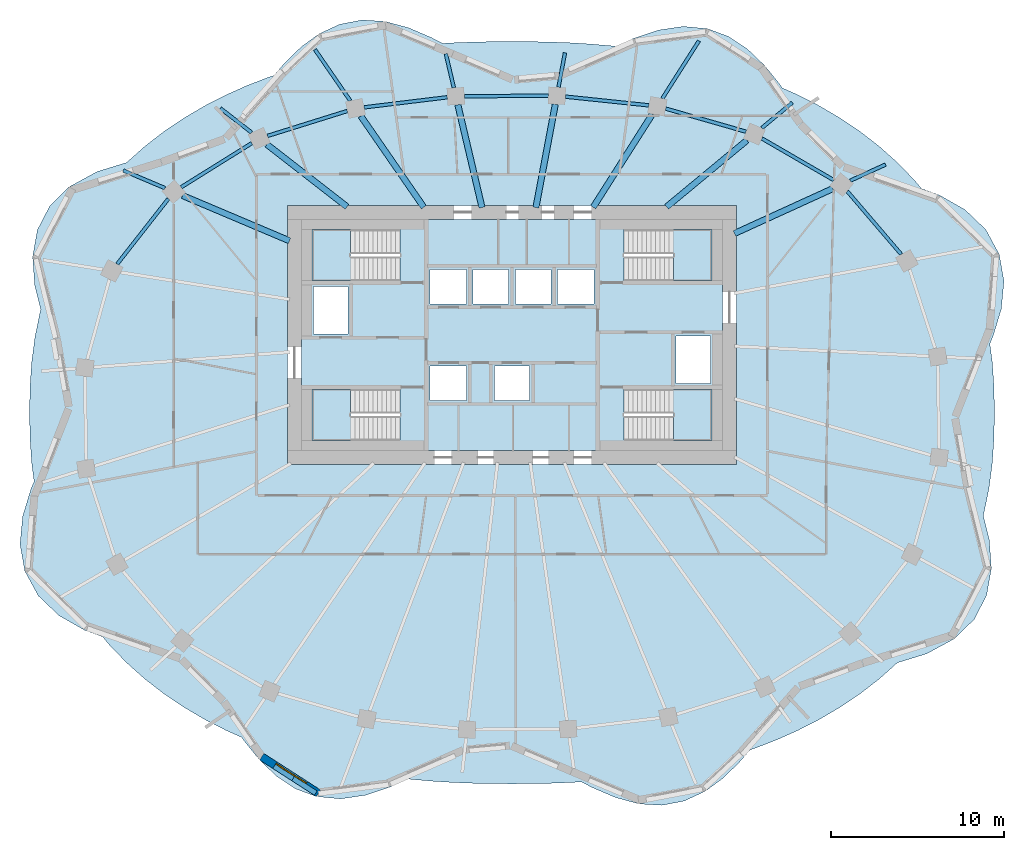
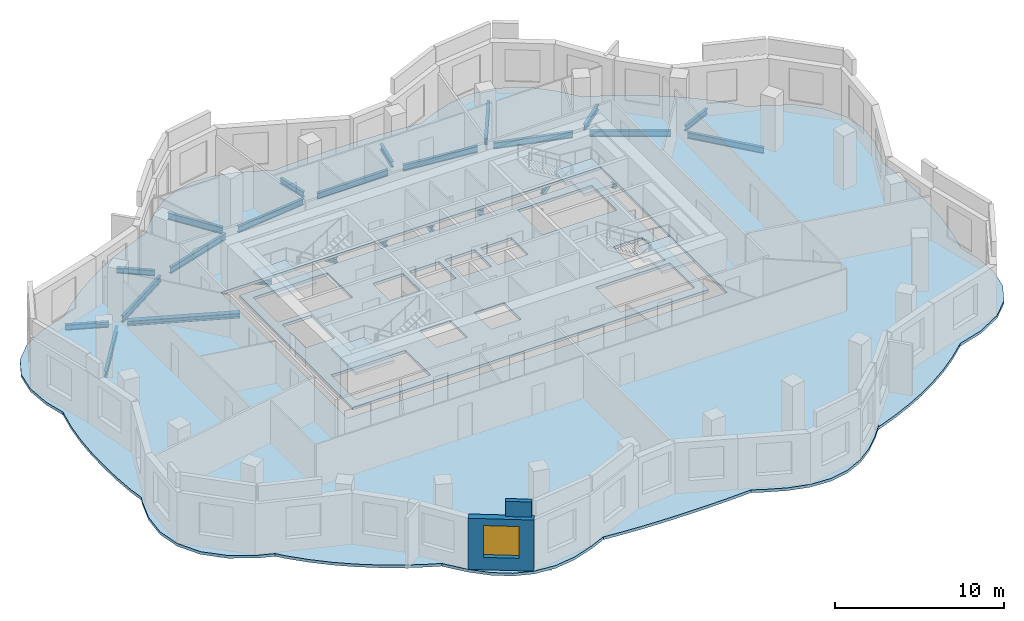
# One storey, part 2 of 9: 25 beams, 6 slabs, 2 walls, 1 window, 1 opening, 4 elements without a shape of their own.
"""IFC4 building model written with IfcOpenShell, lengths in metres."""

from ifc_helpers import new_model, si_unit, direction, frame, frame_2d, origin, origin_2d, place, context, subcontext, project, spatial, polyline, rectangle, i_section, outline, extrude, material, layer, layer_set, material_profile, profile_set, type_object, element, fill, aggregate, save


model = new_model("IFC4")

# Units and contexts
model_context = context("Model", 3, precision=1e-05, world=origin(), true_north=direction((0.0, 1.0)))
body_context = subcontext(model_context, "Body", "Model", "MODEL_VIEW")
ifc_project = project(units=[si_unit("LENGTHUNIT", "METRE"), si_unit("AREAUNIT", "SQUARE_METRE"), si_unit("VOLUMEUNIT", "CUBIC_METRE"), si_unit("PLANEANGLEUNIT", "RADIAN"), si_unit("MASSUNIT", "GRAM", prefix="KILO")], contexts=[model_context])

# Site, building, storey
site_placement = place(None, origin())
site = spatial("IfcSite", under=ifc_project, at=site_placement, CompositionType="ELEMENT")
building_placement = place(site_placement, origin())
building = spatial("IfcBuilding", under=site, at=building_placement, Name="Rubra Terraces Tower", CompositionType="ELEMENT")
storey_placement = place(building_placement, frame((0.0, 0.0, 221.39990234375)))
storey = spatial("IfcBuildingStorey", under=building, at=storey_placement, Name="L54", CompositionType="ELEMENT", Elevation=221.39990234375)

# Beams
ifc_material_1 = material(Name="Steel Q355B", Category="steel")
ifc_material_profile_1 = material_profile(ifc_material_1, i_section(OverallWidth=0.199951171875, OverallDepth=0.39990234375, WebThickness=0.008056640625, FlangeThickness=0.012939453125, at=origin_2d()), Name="HN 400x200x8x13")
ifc_profile_set_1 = profile_set([ifc_material_profile_1], Name="Steel Q355B")
beam_type_1 = type_object("IfcBeamType", Name="CANTILEVER BEAM HN 400x200x8x13", PredefinedType="BEAM", material=ifc_profile_set_1)
beam_1_placement = place(storey_placement, frame((19.596923828125, 13.43896484375, -0.39990234375), z_axis=(0.909716613574, 0.415229674985, 0.0), x_axis=(-0.415229674985, 0.909716613574, 0.0)))
element("IfcBeam", 1, at=beam_1_placement, inside=storey, type_object=beam_type_1, Name="beam-L54-cant-03", PredefinedType="BEAM", context=body_context, shape_type="SweptSolid", body=[
    extrude(i_section(OverallWidth=0.199951171875, OverallDepth=0.39990234375, WebThickness=0.008056640625, FlangeThickness=0.012939453125, at=origin_2d()), origin(), (0.0, 0.0, 1.0), 2.242431640625),
])
beam_2_placement = place(storey_placement, frame((14.47509765625, 16.4951171875, -0.39990234375), z_axis=(0.769939283083, 0.63811715254, 0.0), x_axis=(-0.63811715254, 0.769939283083, 0.0)))
element("IfcBeam", 2, at=beam_2_placement, inside=storey, type_object=beam_type_1, Name="beam-L54-cant-04", PredefinedType="BEAM", context=body_context, shape_type="SweptSolid", body=[
    extrude(i_section(OverallWidth=0.199951171875, OverallDepth=0.39990234375, WebThickness=0.008056640625, FlangeThickness=0.012939453125, at=origin_2d()), origin(), (0.0, 0.0, 1.0), 2.291015625),
])
beam_3_placement = place(storey_placement, frame((2.695068359375, 18.85400390625, -0.39990234375), z_axis=(0.184543083593, 0.98282442496, 0.0), x_axis=(-0.98282442496, 0.184543083593, 0.0)))
element("IfcBeam", 3, at=beam_3_placement, inside=storey, type_object=beam_type_1, Name="beam-L54-cant-06", PredefinedType="BEAM", context=body_context, shape_type="SweptSolid", body=[
    extrude(i_section(OverallWidth=0.199951171875, OverallDepth=0.39990234375, WebThickness=0.008056640625, FlangeThickness=0.012939453125, at=origin_2d()), origin(), (0.0, 0.0, 1.0), 2.02685546875),
])
beam_4_placement = place(storey_placement, frame((-3.3701171875, 18.823974609375, -0.39990234375), z_axis=(-0.229039333726, 0.973417168334, 0.0), x_axis=(-0.973417168334, -0.229039333726, 0.0)))
element("IfcBeam", 4, at=beam_4_placement, inside=storey, type_object=beam_type_1, Name="beam-L54-cant-07", PredefinedType="BEAM", context=body_context, shape_type="SweptSolid", body=[
    extrude(i_section(OverallWidth=0.199951171875, OverallDepth=0.39990234375, WebThickness=0.008056640625, FlangeThickness=0.012939453125, at=origin_2d()), origin(), (0.0, 0.0, 1.0), 2.016845703125),
])
beam_5_placement = place(storey_placement, frame((-15.087890625, 16.22705078125, -0.39990234375), z_axis=(-0.789765914968, 0.6134083465, 0.0), x_axis=(-0.6134083465, -0.789765914968, 0.0)))
element("IfcBeam", 5, at=beam_5_placement, inside=storey, type_object=beam_type_1, Name="beam-L54-cant-09", PredefinedType="BEAM", context=body_context, shape_type="SweptSolid", body=[
    extrude(i_section(OverallWidth=0.199951171875, OverallDepth=0.39990234375, WebThickness=0.008056640625, FlangeThickness=0.012939453125, at=origin_2d()), origin(), (0.0, 0.0, 1.0), 2.286865234375),
])
beam_6_placement = place(storey_placement, frame((-20.10205078125, 13.0048828125, -0.39990234375), z_axis=(-0.920825922179, 0.389973872257, 0.0), x_axis=(-0.389973872257, -0.920825922179, 0.0)))
element("IfcBeam", 6, at=beam_6_placement, inside=storey, type_object=beam_type_1, Name="beam-L54-cant-10", PredefinedType="BEAM", context=body_context, shape_type="SweptSolid", body=[
    extrude(i_section(OverallWidth=0.199951171875, OverallDepth=0.39990234375, WebThickness=0.008056640625, FlangeThickness=0.012939453125, at=origin_2d()), origin(), (0.0, 0.0, 1.0), 2.623779296875),
])
ifc_material_profile_2 = material_profile(ifc_material_1, i_section(OverallWidth=0.198974609375, OverallDepth=0.49609375, WebThickness=0.009033203125, FlangeThickness=0.013916015625, at=origin_2d()), Name="HN 496x199x9x14")
ifc_profile_set_2 = profile_set([ifc_material_profile_2], Name="Steel Q355B")
beam_type_2 = type_object("IfcBeamType", Name="CANTILEVER BEAM HN 496x199x9x14", PredefinedType="BEAM", material=ifc_profile_set_2)
beam_7_placement = place(storey_placement, frame((8.7099609375, 18.201904296875, -0.447998046875), z_axis=(0.536427545347, 0.843946377795, 0.0), x_axis=(-0.843946377795, 0.536427545347, 0.0)))
element("IfcBeam", 7, at=beam_7_placement, inside=storey, type_object=beam_type_2, Name="beam-L54-cant-05", PredefinedType="BEAM", context=body_context, shape_type="SweptSolid", body=[
    extrude(i_section(OverallWidth=0.198974609375, OverallDepth=0.49609375, WebThickness=0.009033203125, FlangeThickness=0.013916015625, at=origin_2d()), origin(), (0.0, 0.0, 1.0), 3.950439453125),
])
beam_8_placement = place(storey_placement, frame((-9.3701171875, 18.070068359375, -0.447998046875), z_axis=(-0.56822135663, 0.822875743882, 0.0), x_axis=(-0.822875743882, -0.56822135663, 0.0)))
element("IfcBeam", 8, at=beam_8_placement, inside=storey, type_object=beam_type_2, Name="beam-L54-cant-08", PredefinedType="BEAM", context=body_context, shape_type="SweptSolid", body=[
    extrude(i_section(OverallWidth=0.198974609375, OverallDepth=0.49609375, WebThickness=0.009033203125, FlangeThickness=0.013916015625, at=origin_2d()), origin(), (0.0, 0.0, 1.0), 3.59716796875),
])
ifc_material_profile_3 = material_profile(ifc_material_1, i_section(OverallWidth=0.35009765625, OverallDepth=0.35009765625, WebThickness=0.011962890625, FlangeThickness=0.01904296875, at=origin_2d()), Name="HW 350x350x12x19")
ifc_profile_set_3 = profile_set([ifc_material_profile_3], Name="Steel Q355B")
beam_type_3 = type_object("IfcBeamType", Name="FLOOR BEAM HW 350x350x12x19", PredefinedType="BEAM", material=ifc_profile_set_3)
beam_9_placement = place(storey_placement, frame((18.5869140625, 12.97900390625, -0.375), z_axis=(-0.909756526533, -0.415142219523, 0.0), x_axis=(0.415142219523, -0.909756526533, 0.0)))
element("IfcBeam", 9, at=beam_9_placement, inside=storey, type_object=beam_type_3, Name="beam-L54-floor-03", PredefinedType="BEAM", context=body_context, shape_type="SweptSolid", body=[
    extrude(i_section(OverallWidth=0.35009765625, OverallDepth=0.35009765625, WebThickness=0.011962890625, FlangeThickness=0.01904296875, at=origin_2d()), origin(), (0.0, 0.0, 1.0), 6.2607421875),
])
beam_10_placement = place(storey_placement, frame((13.60888671875, 15.777099609375, -0.375), z_axis=(-0.769987518392, -0.638058948312, 0.0), x_axis=(0.638058948312, -0.769987518392, 0.0)))
element("IfcBeam", 10, at=beam_10_placement, inside=storey, type_object=beam_type_3, Name="beam-L54-floor-04", PredefinedType="BEAM", context=body_context, shape_type="SweptSolid", body=[
    extrude(i_section(OverallWidth=0.35009765625, OverallDepth=0.35009765625, WebThickness=0.011962890625, FlangeThickness=0.01904296875, at=origin_2d()), origin(), (0.0, 0.0, 1.0), 6.040283203125),
])
beam_11_placement = place(storey_placement, frame((8.134033203125, 17.2958984375, -0.375), z_axis=(-0.536509861106, -0.843894050776, 0.0), x_axis=(0.843894050776, -0.536509861106, 0.0)))
element("IfcBeam", 11, at=beam_11_placement, inside=storey, type_object=beam_type_3, Name="beam-L54-floor-05", PredefinedType="BEAM", context=body_context, shape_type="SweptSolid", body=[
    extrude(i_section(OverallWidth=0.35009765625, OverallDepth=0.35009765625, WebThickness=0.011962890625, FlangeThickness=0.01904296875, at=origin_2d()), origin(), (0.0, 0.0, 1.0), 6.395263671875),
])
beam_12_placement = place(storey_placement, frame((2.509033203125, 17.862060546875, -0.375), z_axis=(-0.184574398021, -0.982818544593, 0.0), x_axis=(0.982818544593, -0.184574398021, 0.0)))
element("IfcBeam", 12, at=beam_12_placement, inside=storey, type_object=beam_type_3, Name="beam-L54-floor-06", PredefinedType="BEAM", context=body_context, shape_type="SweptSolid", body=[
    extrude(i_section(OverallWidth=0.35009765625, OverallDepth=0.35009765625, WebThickness=0.011962890625, FlangeThickness=0.01904296875, at=origin_2d()), origin(), (0.0, 0.0, 1.0), 6.08447265625),
])
beam_13_placement = place(storey_placement, frame((-3.137939453125, 17.8359375, -0.375), z_axis=(0.229070485592, -0.973409837957, 0.0), x_axis=(0.973409837957, 0.229070485592, 0.0)))
element("IfcBeam", 13, at=beam_13_placement, inside=storey, type_object=beam_type_3, Name="beam-L54-floor-07", PredefinedType="BEAM", context=body_context, shape_type="SweptSolid", body=[
    extrude(i_section(OverallWidth=0.35009765625, OverallDepth=0.35009765625, WebThickness=0.011962890625, FlangeThickness=0.01904296875, at=origin_2d()), origin(), (0.0, 0.0, 1.0), 6.115478515625),
])
beam_14_placement = place(storey_placement, frame((-8.756103515625, 17.179931640625, -0.375), z_axis=(0.568186422001, -0.822899866238, 0.0), x_axis=(0.822899866238, 0.568186422001, 0.0)))
element("IfcBeam", 14, at=beam_14_placement, inside=storey, type_object=beam_type_3, Name="beam-L54-floor-08", PredefinedType="BEAM", context=body_context, shape_type="SweptSolid", body=[
    extrude(i_section(OverallWidth=0.35009765625, OverallDepth=0.35009765625, WebThickness=0.011962890625, FlangeThickness=0.01904296875, at=origin_2d()), origin(), (0.0, 0.0, 1.0), 6.415283203125),
])
beam_15_placement = place(storey_placement, frame((-14.197998046875, 15.534912109375, -0.375), z_axis=(0.789548898228, -0.613687654517, 0.0), x_axis=(0.613687654517, 0.789548898228, 0.0)))
element("IfcBeam", 15, at=beam_15_placement, inside=storey, type_object=beam_type_3, Name="beam-L54-floor-09", PredefinedType="BEAM", context=body_context, shape_type="SweptSolid", body=[
    extrude(i_section(OverallWidth=0.35009765625, OverallDepth=0.35009765625, WebThickness=0.011962890625, FlangeThickness=0.01904296875, at=origin_2d()), origin(), (0.0, 0.0, 1.0), 5.880615234375),
])
beam_16_placement = place(storey_placement, frame((-19.083984375, 12.574951171875, -0.375), z_axis=(0.92097476483, -0.38962223056, 0.0), x_axis=(0.38962223056, 0.92097476483, 0.0)))
element("IfcBeam", 16, at=beam_16_placement, inside=storey, type_object=beam_type_3, Name="beam-L54-floor-10", PredefinedType="BEAM", context=body_context, shape_type="SweptSolid", body=[
    extrude(i_section(OverallWidth=0.35009765625, OverallDepth=0.35009765625, WebThickness=0.011962890625, FlangeThickness=0.01904296875, at=origin_2d()), origin(), (0.0, 0.0, 1.0), 6.7265625),
])
ifc_material_profile_4 = material_profile(ifc_material_1, i_section(OverallWidth=0.198974609375, OverallDepth=0.446044921875, WebThickness=0.008056640625, FlangeThickness=0.011962890625, at=origin_2d()), Name="HN 446x199x8x12")
ifc_profile_set_4 = profile_set([ifc_material_profile_4], Name="Steel Q355B")
beam_type_4 = type_object("IfcBeamType", Name="SPANDREL BEAM HN 446x199x8x12", PredefinedType="SPANDREL", material=ifc_profile_set_4)
beam_17_placement = place(storey_placement, frame((22.547119140625, 9.174072265625, -0.4228515625), z_axis=(-0.650372836218, 0.759615148552, 0.0), x_axis=(-0.759615148552, -0.650372836218, 0.0)))
element("IfcBeam", 17, at=beam_17_placement, inside=storey, type_object=beam_type_4, Name="beam-L54-spandrel-02", PredefinedType="SPANDREL", context=body_context, shape_type="SweptSolid", body=[
    extrude(i_section(OverallWidth=0.198974609375, OverallDepth=0.446044921875, WebThickness=0.008056640625, FlangeThickness=0.011962890625, at=origin_2d()), origin(), (0.0, 0.0, 1.0), 4.804931640625),
])
beam_18_placement = place(storey_placement, frame((18.653076171875, 13.462890625, -0.4228515625), z_axis=(-0.865153680787, 0.501506838059, 0.0), x_axis=(-0.501506838059, -0.865153680787, 0.0)))
element("IfcBeam", 18, at=beam_18_placement, inside=storey, type_object=beam_type_4, Name="beam-L54-spandrel-03", PredefinedType="SPANDREL", context=body_context, shape_type="SweptSolid", body=[
    extrude(i_section(OverallWidth=0.198974609375, OverallDepth=0.446044921875, WebThickness=0.008056640625, FlangeThickness=0.011962890625, at=origin_2d()), origin(), (0.0, 0.0, 1.0), 4.82568359375),
])
beam_19_placement = place(storey_placement, frame((13.55810546875, 16.27490234375, -0.4228515625), z_axis=(-0.961171164323, 0.275952881621, 0.0), x_axis=(-0.275952881621, -0.961171164323, 0.0)))
element("IfcBeam", 19, at=beam_19_placement, inside=storey, type_object=beam_type_4, Name="beam-L54-spandrel-04", PredefinedType="SPANDREL", context=body_context, shape_type="SweptSolid", body=[
    extrude(i_section(OverallWidth=0.198974609375, OverallDepth=0.446044921875, WebThickness=0.008056640625, FlangeThickness=0.011962890625, at=origin_2d()), origin(), (0.0, 0.0, 1.0), 4.842041015625),
])
beam_20_placement = place(storey_placement, frame((7.923095703125, 17.801025390625, -0.4228515625), z_axis=(-0.994565426955, 0.104113454971, 0.0), x_axis=(-0.104113454971, -0.994565426955, 0.0)))
element("IfcBeam", 20, at=beam_20_placement, inside=storey, type_object=beam_type_4, Name="beam-L54-spandrel-05", PredefinedType="SPANDREL", context=body_context, shape_type="SweptSolid", body=[
    extrude(i_section(OverallWidth=0.198974609375, OverallDepth=0.446044921875, WebThickness=0.008056640625, FlangeThickness=0.011962890625, at=origin_2d()), origin(), (0.0, 0.0, 1.0), 4.849365234375),
])
beam_21_placement = place(storey_placement, frame((2.10107421875, 18.35595703125, -0.4228515625), z_axis=(-0.999987852299, -0.004929021704, 0.0), x_axis=(0.004929021704, -0.999987852299, 0.0)))
element("IfcBeam", 21, at=beam_21_placement, inside=storey, type_object=beam_type_4, Name="beam-L54-spandrel-06", PredefinedType="SPANDREL", context=body_context, shape_type="SweptSolid", body=[
    extrude(i_section(OverallWidth=0.198974609375, OverallDepth=0.446044921875, WebThickness=0.008056640625, FlangeThickness=0.011962890625, at=origin_2d()), origin(), (0.0, 0.0, 1.0), 4.85400390625),
])
beam_22_placement = place(storey_placement, frame((-3.7509765625, 18.27001953125, -0.4228515625), z_axis=(-0.992698018573, -0.120626049929, 0.0), x_axis=(0.120626049929, -0.992698018573, 0.0)))
element("IfcBeam", 22, at=beam_22_placement, inside=storey, type_object=beam_type_4, Name="beam-L54-spandrel-07", PredefinedType="SPANDREL", context=body_context, shape_type="SweptSolid", body=[
    extrude(i_section(OverallWidth=0.198974609375, OverallDepth=0.446044921875, WebThickness=0.008056640625, FlangeThickness=0.011962890625, at=origin_2d()), origin(), (0.0, 0.0, 1.0), 4.849365234375),
])
beam_23_placement = place(storey_placement, frame((-9.5419921875, 17.47509765625, -0.4228515625), z_axis=(-0.954462027342, -0.298332429282, 0.0), x_axis=(0.298332429282, -0.954462027342, 0.0)))
element("IfcBeam", 23, at=beam_23_placement, inside=storey, type_object=beam_type_4, Name="beam-L54-spandrel-08", PredefinedType="SPANDREL", context=body_context, shape_type="SweptSolid", body=[
    extrude(i_section(OverallWidth=0.198974609375, OverallDepth=0.446044921875, WebThickness=0.008056640625, FlangeThickness=0.011962890625, at=origin_2d()), origin(), (0.0, 0.0, 1.0), 4.840576171875),
])
beam_24_placement = place(storey_placement, frame((-15.071044921875, 15.614013671875, -0.4228515625), z_axis=(-0.848183088492, -0.529703170083, 0.0), x_axis=(0.529703170083, -0.848183088492, 0.0)))
element("IfcBeam", 24, at=beam_24_placement, inside=storey, type_object=beam_type_4, Name="beam-L54-spandrel-09", PredefinedType="SPANDREL", context=body_context, shape_type="SweptSolid", body=[
    extrude(i_section(OverallWidth=0.198974609375, OverallDepth=0.446044921875, WebThickness=0.008056640625, FlangeThickness=0.011962890625, at=origin_2d()), origin(), (0.0, 0.0, 1.0), 4.8232421875),
])
beam_25_placement = place(storey_placement, frame((-19.906005859375, 12.39111328125, -0.4228515625), z_axis=(-0.617060338015, -0.786915840004, 0.0), x_axis=(0.786915840004, -0.617060338015, 0.0)))
element("IfcBeam", 25, at=beam_25_placement, inside=storey, type_object=beam_type_4, Name="beam-L54-spandrel-10", PredefinedType="SPANDREL", context=body_context, shape_type="SweptSolid", body=[
    extrude(i_section(OverallWidth=0.198974609375, OverallDepth=0.446044921875, WebThickness=0.008056640625, FlangeThickness=0.011962890625, at=origin_2d()), origin(), (0.0, 0.0, 1.0), 4.8037109375),
])

# Slab
ifc_material_2 = material(Name="Concrete C40", Category="concrete")
ifc_layer_1 = layer(ifc_material_2, 0.199951171875)
ifc_layer_set_1 = layer_set([ifc_layer_1], Name="Concrete C40")
slab_type_1 = type_object("IfcSlabType", Name="Core floor slab 200 concrete", PredefinedType="FLOOR", material=ifc_layer_set_1)
slab_1_placement = place(storey_placement, frame((0.0, 0.0, -0.199951171875)))
element("IfcSlab", 26, at=slab_1_placement, inside=storey, type_object=slab_type_1, Name="CORE FLOOR SLAB L54", PredefinedType="FLOOR", context=body_context, shape_type="SweptSolid", body=[
    extrude(outline(polyline([(-12.199951171875, -2.199951171875), (-12.199951171875, 11.199951171875), (12.199951171875, 11.199951171875), (12.199951171875, -2.199951171875), (-12.199951171875, -2.199951171875)]), holes=[polyline([(11.597900390625, 1.347900390625), (6.501953125, 1.347900390625), (6.501953125, -1.597900390625), (11.597900390625, -1.597900390625), (11.597900390625, 1.347900390625)]), polyline([(11.597900390625, 7.652099609375), (11.597900390625, 10.597900390625), (6.501953125, 10.597900390625), (6.501953125, 7.652099609375), (11.597900390625, 7.652099609375)]), polyline([(9.5, 1.699951171875), (11.5, 1.699951171875), (11.5, 4.449951171875), (9.5, 4.449951171875), (9.5, 1.699951171875)]), polyline([(4.75, 6.300048828125), (4.75, 8.300048828125), (2.64990234375, 8.300048828125), (2.64990234375, 6.300048828125), (4.75, 6.300048828125)]), polyline([(2.25, 8.300048828125), (0.199951171875, 8.300048828125), (0.199951171875, 6.300048828125), (2.25, 6.300048828125), (2.25, 8.300048828125)]), polyline([(1.02490234375, 0.699951171875), (1.02490234375, 2.699951171875), (-1.02490234375, 2.699951171875), (-1.02490234375, 0.699951171875), (1.02490234375, 0.699951171875)]), polyline([(-0.199951171875, 6.300048828125), (-0.199951171875, 8.300048828125), (-2.25, 8.300048828125), (-2.25, 6.300048828125), (-0.199951171875, 6.300048828125)]), polyline([(-4.75, 8.300048828125), (-4.75, 6.300048828125), (-2.64990234375, 6.300048828125), (-2.64990234375, 8.300048828125), (-4.75, 8.300048828125)]), polyline([(-2.64990234375, 0.699951171875), (-2.64990234375, 2.699951171875), (-4.75, 2.699951171875), (-4.75, 0.699951171875), (-2.64990234375, 0.699951171875)]), polyline([(-11.597900390625, -1.597900390625), (-6.501953125, -1.597900390625), (-6.501953125, 1.347900390625), (-11.597900390625, 1.347900390625), (-11.597900390625, -1.597900390625)]), polyline([(-11.597900390625, 10.597900390625), (-11.597900390625, 7.652099609375), (-6.501953125, 7.652099609375), (-6.501953125, 10.597900390625), (-11.597900390625, 10.597900390625)]), polyline([(-9.5, 4.550048828125), (-9.5, 7.300048828125), (-11.5, 7.300048828125), (-11.5, 4.550048828125), (-9.5, 4.550048828125)])]), origin(), (0.0, 0.0, 1.0), 0.199951171875),
])

# Stair, slab
stair_type = type_object("IfcStairType", Name="Core stair 1400", PredefinedType="HALF_TURN_STAIR", material=ifc_material_2)
stair_1_placement = place(storey_placement, origin())
stair_1 = element("IfcStair", 27, at=stair_1_placement, inside=storey, type_object=stair_type, Name="L54 Exit stair S1", PredefinedType="HALF_TURN_STAIR")
ifc_layer_2 = layer(ifc_material_2, 0.199951171875)
ifc_layer_set_2 = layer_set([ifc_layer_2], Name="Concrete C40")
slab_type_2 = type_object("IfcSlabType", Name="Core stair landing 200", PredefinedType="LANDING", material=ifc_layer_set_2)
slab_2_placement = place(storey_placement, frame((0.0, 0.0, 1.75)))
slab_2 = element("IfcSlab", 28, at=slab_2_placement, type_object=slab_type_2, Name="S1 landing 1", PredefinedType="LANDING", context=body_context, shape_type="SweptSolid", body=[
    extrude(outline(polyline([(-8.97998046875, -0.199951171875), (-8.97998046875, -1.60009765625), (-9.360107421875, -1.60009765625), (-9.3798828125, -1.60009765625), (-11.60009765625, -1.60009765625), (-11.60009765625, 1.35009765625), (-9.3798828125, 1.35009765625), (-9.35791015625, 1.35009765625), (-9.35791015625, -0.050048828125), (-9.360107421875, -0.050048828125), (-9.360107421875, -0.199951171875), (-8.97998046875, -0.199951171875)])), origin(), (0.0, 0.0, 1.0), 0.2001953125),
])
aggregate(stair_1, [slab_2])

stair_2_placement = place(storey_placement, origin())
stair_2 = element("IfcStair", 29, at=stair_2_placement, inside=storey, type_object=stair_type, Name="L54 Exit stair S2", PredefinedType="HALF_TURN_STAIR")
slab_3_placement = place(storey_placement, frame((0.0, 0.0, 1.75)))
slab_3 = element("IfcSlab", 30, at=slab_3_placement, type_object=slab_type_2, Name="S2 landing 1", PredefinedType="LANDING", context=body_context, shape_type="SweptSolid", body=[
    extrude(outline(polyline([(-8.97998046875, 9.050048828125), (-8.97998046875, 7.64990234375), (-9.3798828125, 7.64990234375), (-11.60009765625, 7.64990234375), (-11.60009765625, 10.60009765625), (-9.3798828125, 10.60009765625), (-9.360107421875, 10.60009765625), (-9.35791015625, 10.60009765625), (-9.35791015625, 9.199951171875), (-9.360107421875, 9.199951171875), (-9.360107421875, 9.050048828125), (-8.97998046875, 9.050048828125)])), origin(), (0.0, 0.0, 1.0), 0.2001953125),
])
aggregate(stair_2, [slab_3])

stair_3_placement = place(storey_placement, origin())
stair_3 = element("IfcStair", 31, at=stair_3_placement, inside=storey, type_object=stair_type, Name="L54 Exit stair S3", PredefinedType="HALF_TURN_STAIR")
slab_4_placement = place(storey_placement, frame((0.0, 0.0, 1.75)))
slab_4 = element("IfcSlab", 32, at=slab_4_placement, type_object=slab_type_2, Name="S3 landing 1", PredefinedType="LANDING", context=body_context, shape_type="SweptSolid", body=[
    extrude(outline(polyline([(9.360107421875, 9.050048828125), (9.360107421875, 9.199951171875), (8.97998046875, 9.199951171875), (8.97998046875, 10.60009765625), (9.360107421875, 10.60009765625), (9.3798828125, 10.60009765625), (11.60009765625, 10.60009765625), (11.60009765625, 7.64990234375), (9.3798828125, 7.64990234375), (9.35791015625, 7.64990234375), (9.35791015625, 9.050048828125), (9.360107421875, 9.050048828125)])), origin(), (0.0, 0.0, 1.0), 0.2001953125),
])
aggregate(stair_3, [slab_4])

stair_4_placement = place(storey_placement, origin())
stair_4 = element("IfcStair", 33, at=stair_4_placement, inside=storey, type_object=stair_type, Name="L54 Exit stair S4", PredefinedType="HALF_TURN_STAIR")
slab_5_placement = place(storey_placement, frame((0.0, 0.0, 1.75)))
slab_5 = element("IfcSlab", 34, at=slab_5_placement, type_object=slab_type_2, Name="S4 landing 1", PredefinedType="LANDING", context=body_context, shape_type="SweptSolid", body=[
    extrude(outline(polyline([(9.360107421875, -0.199951171875), (9.360107421875, -0.050048828125), (8.97998046875, -0.050048828125), (8.97998046875, 1.35009765625), (9.360107421875, 1.35009765625), (9.3798828125, 1.35009765625), (11.60009765625, 1.35009765625), (11.60009765625, -1.60009765625), (9.3798828125, -1.60009765625), (9.360107421875, -1.60009765625), (9.35791015625, -1.60009765625), (9.35791015625, -0.199951171875), (9.360107421875, -0.199951171875)])), origin(), (0.0, 0.0, 1.0), 0.2001953125),
])
aggregate(stair_4, [slab_5])

# Slab
ifc_layer_3 = layer(ifc_material_2, 0.199951171875)
ifc_layer_set_3 = layer_set([ifc_layer_3], Name="Concrete C40")
slab_type_3 = type_object("IfcSlabType", Name="FLOOR SLAB 200 COMPOSITE", PredefinedType="FLOOR", material=ifc_layer_set_3)
slab_6_placement = place(storey_placement, frame((0.0, 0.0, -0.199951171875)))
element("IfcSlab", 35, at=slab_6_placement, inside=storey, type_object=slab_type_3, Name="FLOOR SLAB L54", PredefinedType="FLOOR", context=body_context, shape_type="SweptSolid", body=[
    extrude(outline(polyline([(27.825927734375, 2.925048828125), (27.68505859375, 3.992919921875), (27.864990234375, 4.4130859375), (28.345947265625, 6.0), (28.501953125, 7.617919921875), (28.22607421875, 9.1708984375), (27.449951171875, 10.60400390625), (26.242919921875, 11.759033203125), (24.7470703125, 12.60888671875), (23.712890625, 12.987060546875), (23.324951171875, 13.45703125), (22.327880859375, 14.489013671875), (21.256103515625, 15.444091796875), (20.15087890625, 16.298095703125), (18.990966796875, 17.077880859375), (17.784912109375, 17.784912109375), (16.591064453125, 18.39599609375), (15.660888671875, 18.81201171875), (15.468017578125, 19.083984375), (14.62109375, 20.1240234375), (13.6298828125, 21.072998046875), (12.529052734375, 21.798095703125), (11.3330078125, 22.240966796875), (9.931884765625, 22.3759765625), (8.489013671875, 22.1650390625), (7.0458984375, 21.68603515625), (5.998046875, 21.222900390625), (5.7099609375, 21.256103515625), (4.552978515625, 21.35498046875), (3.39404296875, 21.427001953125), (2.262939453125, 21.470947265625), (1.132080078125, 21.493896484375), (0.0, 21.5), (-1.132080078125, 21.493896484375), (-2.262939453125, 21.470947265625), (-3.39404296875, 21.427001953125), (-4.0048828125, 21.388916015625), (-3.3330078125, 21.044921875), (-4.64990234375, 21.718994140625), (-5.9990234375, 22.298095703125), (-7.364990234375, 22.66796875), (-8.68798828125, 22.74609375), (-9.969970703125, 22.5029296875), (-11.180908203125, 21.943115234375), (-12.205078125, 21.195068359375), (-13.14599609375, 20.282958984375), (-14.010986328125, 19.284912109375), (-13.7919921875, 19.5380859375), (-14.115966796875, 19.428955078125), (-15.365966796875, 18.944091796875), (-16.591064453125, 18.39599609375), (-17.784912109375, 17.784912109375), (-18.990966796875, 17.077880859375), (-20.15087890625, 16.298095703125), (-21.256103515625, 15.444091796875), (-22.327880859375, 14.489013671875), (-24.031982421875, 13.967041015625), (-25.6650390625, 13.076904296875), (-26.780029296875, 11.968994140625), (-27.4951171875, 10.587890625), (-27.77197265625, 9.02392578125), (-27.65087890625, 7.37109375), (-27.299072265625, 5.9609375), (-27.342041015625, 5.81005859375), (-27.635009765625, 4.376953125), (-27.825927734375, 2.925048828125), (-27.925048828125, 1.464111328125), (-27.949951171875, 0.0), (-27.925048828125, -1.464111328125), (-27.825927734375, -2.925048828125), (-27.68505859375, -3.992919921875), (-27.864990234375, -4.4130859375), (-28.345947265625, -6.0), (-28.501953125, -7.617919921875), (-28.22607421875, -9.1708984375), (-27.449951171875, -10.60400390625), (-26.242919921875, -11.759033203125), (-24.7470703125, -12.60888671875), (-23.712890625, -12.987060546875), (-23.324951171875, -13.45703125), (-22.327880859375, -14.489013671875), (-21.256103515625, -15.444091796875), (-20.15087890625, -16.298095703125), (-18.990966796875, -17.077880859375), (-17.784912109375, -17.784912109375), (-16.591064453125, -18.39599609375), (-15.660888671875, -18.81201171875), (-15.468017578125, -19.083984375), (-14.62109375, -20.1240234375), (-13.6298828125, -21.072998046875), (-12.529052734375, -21.798095703125), (-11.3330078125, -22.240966796875), (-9.931884765625, -22.3759765625), (-8.489013671875, -22.1650390625), (-7.0458984375, -21.68603515625), (-5.998046875, -21.222900390625), (-5.7099609375, -21.256103515625), (-4.552978515625, -21.35498046875), (-3.39404296875, -21.427001953125), (-2.262939453125, -21.470947265625), (-1.132080078125, -21.493896484375), (0.0, -21.5), (1.132080078125, -21.493896484375), (2.262939453125, -21.470947265625), (3.39404296875, -21.427001953125), (4.0048828125, -21.388916015625), (3.3330078125, -21.044921875), (4.64990234375, -21.718994140625), (5.9990234375, -22.298095703125), (7.364990234375, -22.66796875), (8.68798828125, -22.74609375), (9.969970703125, -22.5029296875), (11.180908203125, -21.943115234375), (12.205078125, -21.195068359375), (13.14599609375, -20.282958984375), (14.010986328125, -19.284912109375), (13.7919921875, -19.5380859375), (14.115966796875, -19.428955078125), (15.365966796875, -18.944091796875), (16.591064453125, -18.39599609375), (17.784912109375, -17.784912109375), (18.990966796875, -17.077880859375), (20.15087890625, -16.298095703125), (21.256103515625, -15.444091796875), (22.327880859375, -14.489013671875), (24.031982421875, -13.967041015625), (25.6650390625, -13.076904296875), (26.780029296875, -11.968994140625), (27.4951171875, -10.587890625), (27.77197265625, -9.02392578125), (27.65087890625, -7.37109375), (27.299072265625, -5.9609375), (27.342041015625, -5.81005859375), (27.635009765625, -4.376953125), (27.825927734375, -2.925048828125), (27.925048828125, -1.464111328125), (27.949951171875, 0.0), (27.925048828125, 1.464111328125), (27.825927734375, 2.925048828125)]), holes=[polyline([(13.0, 12.0), (13.0, -3.0), (-13.0, -3.0), (-13.0, 12.0), (13.0, 12.0)])]), origin(), (0.0, 0.0, 1.0), 0.199951171875),
])

# Wall, opening, window
ifc_material_3 = material(Name="Brick masonry red-brown", Category="masonry")
ifc_layer_4 = layer(ifc_material_3, 0.449951171875)
ifc_layer_set_4 = layer_set([ifc_layer_4], Name="Brick masonry red-brown")
wall_type_1 = type_object("IfcWallType", Name="Brick facade wall 450", PredefinedType="SOLIDWALL", material=ifc_layer_set_4)
wall_1_placement = place(storey_placement, frame((-14.499267578125, -19.934814453125, 0.0), z_axis=(0.0, 0.0, 1.0), x_axis=(0.84080910763, -0.541331732422, 0.0)))
wall_1 = element("IfcWall", 36, at=wall_1_placement, inside=storey, type_object=wall_type_1, Name="Facade wall L54 bay 27", PredefinedType="SOLIDWALL", context=body_context, shape_type="SweptSolid", body=[
    extrude(rectangle(XDim=3.91064453125, YDim=0.449951171875, at=frame_2d((1.955322265625, 0.0))), origin(), (0.0, 0.0, 1.0), 3.7001953125),
])
opening_placement = place(wall_1_placement, frame((0.9052734375, 0.0, 0.89990234375)))
opening = element("IfcOpeningElement", 37, at=opening_placement, cuts=wall_1, Name="Opening W1B", PredefinedType="OPENING", context=body_context, shape_type="SweptSolid", body=[
    extrude(rectangle(XDim=2.10009765625, YDim=2.300048828125, at=frame_2d((1.050048828125, 1.14990234375))), frame((0.0, 0.23486328125, 0.0), z_axis=(0.0, -1.0, 0.0), x_axis=(1.0, 0.0, 0.0)), (0.0, 0.0, 1.0), 0.469970703125),
])
ifc_material_4 = material(Name="Clear glass in aluminium frame", Category="aluminium")
window_type = type_object("IfcWindowType", Name="Fixed deep-set window tall storey 2100 x 2300", PartitioningType="SINGLE_PANEL", PredefinedType="WINDOW", material=ifc_material_4)
window_placement = place(opening_placement, origin())
window = element("IfcWindow", 38, at=window_placement, inside=storey, type_object=window_type, Name="Window L54 bay 27", OverallHeight=2.300048828125, OverallWidth=2.10009765625, PartitioningType="SINGLE_PANEL", PredefinedType="WINDOW", context=body_context, shape_type="SweptSolid", body=[
    extrude(rectangle(XDim=2.10009765625, YDim=2.300048828125, at=frame_2d((1.050048828125, 1.14990234375))), frame((0.0, 0.135009765625, 0.0), z_axis=(0.0, -1.0, 0.0), x_axis=(1.0, 0.0, 0.0)), (0.0, 0.0, 1.0), 0.06005859375),
])
fill(opening, window)

# Wall
ifc_layer_5 = layer(ifc_material_3, 0.300048828125)
ifc_layer_set_5 = layer_set([ifc_layer_5], Name="Brick masonry red-brown")
wall_type_2 = type_object("IfcWallType", Name="Brick parapet 300", PredefinedType="PARAPET", material=ifc_layer_set_5)
wall_2_placement = place(storey_placement, frame((-12.680419921875, -21.195068359375, 3.900146484375), z_axis=(0.0, 0.0, 1.0), x_axis=(0.840806975541, -0.541335044018, 0.0)))
element("IfcWall", 39, at=wall_2_placement, inside=storey, type_object=wall_type_2, Name="Parapet L54 bay 27", PredefinedType="PARAPET", context=body_context, shape_type="SweptSolid", body=[
    extrude(rectangle(XDim=1.5595703125, YDim=0.300048828125, at=frame_2d((0.77978515625, 0.0))), origin(), (0.0, 0.0, 1.0), 1.099853515625),
])

save(model, "model.ifc")
